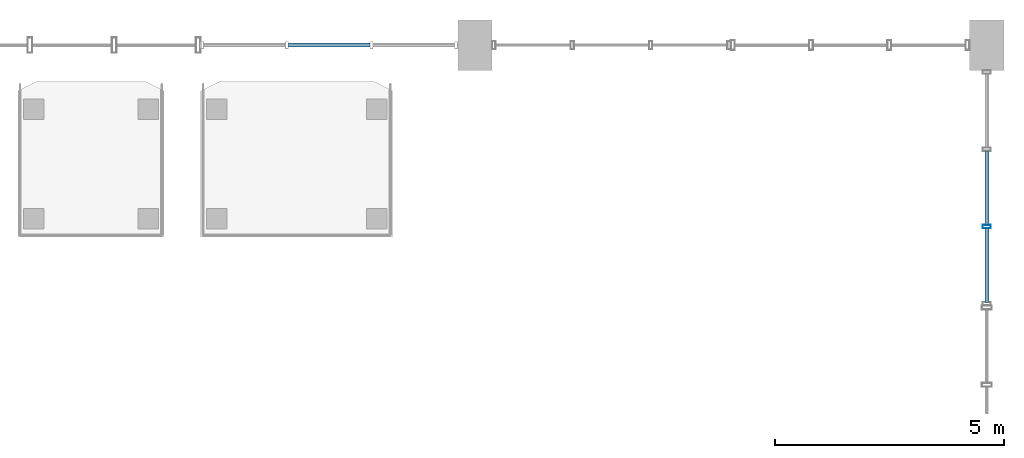
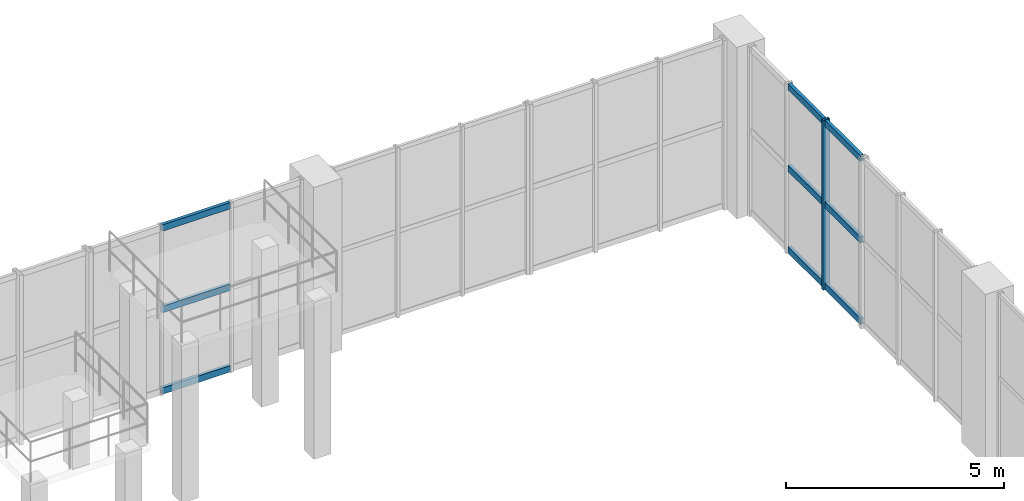
# One storey, part 66 of 106: 10 members, 2 elements without a shape of their own.
"""IFC4 building model written with IfcOpenShell, lengths in metres."""

from ifc_helpers import new_model, si_unit, direction, frame, origin, origin_2d, place, context, subcontext, project, spatial, hollow_rectangle, extrude, material, layer, layer_set, material_profile, profile_set, type_object, element, aggregate, save


model = new_model("IFC4")

# Units and contexts
model_context = context("Model", 3, precision=1e-05, world=origin(), true_north=direction((0.0, 1.0)))
body_context = subcontext(model_context, "Body", "Model", "MODEL_VIEW")
ifc_project = project(units=[si_unit("LENGTHUNIT", "METRE"), si_unit("AREAUNIT", "SQUARE_METRE"), si_unit("VOLUMEUNIT", "CUBIC_METRE"), si_unit("PLANEANGLEUNIT", "RADIAN"), si_unit("MASSUNIT", "GRAM", prefix="KILO"), si_unit("POWERUNIT", "WATT"), si_unit("THERMODYNAMICTEMPERATUREUNIT", "KELVIN")], contexts=[model_context])

# Site, building, storey
site_placement = place(None, origin())
site = spatial("IfcSite", under=ifc_project, at=site_placement, CompositionType="ELEMENT")
building_placement = place(site_placement, origin())
building = spatial("IfcBuilding", under=site, at=building_placement, Name="Kelmbourne Parkland Aquatics Centre", CompositionType="ELEMENT")
storey_placement = place(building_placement, frame((0.0, 0.0, 5.39990234375)))
storey = spatial("IfcBuildingStorey", under=building, at=storey_placement, Name="L01", CompositionType="ELEMENT", Elevation=5.39990234375)

# Curtain wall, members
ifc_material = material(Name="Thermally broken anodised aluminium framing", Category="aluminium")
ifc_layer_1 = layer(ifc_material, 0.179931640625)
ifc_layer_set_1 = layer_set([ifc_layer_1], Name="Thermally broken anodised aluminium framing")
curtain_wall_type_1 = type_object("IfcCurtainWallType", Name="CW-05", PredefinedType="NOTDEFINED", material=ifc_layer_set_1)
curtain_wall_1_placement = place(storey_placement, origin())
curtain_wall_1 = element("IfcCurtainWall", 1, at=curtain_wall_1_placement, inside=storey, type_object=curtain_wall_type_1, Name="Wave-hall clerestory curtain wall CW-L01-101", PredefinedType="NOTDEFINED")
ifc_material_profile_1 = material_profile(ifc_material, hollow_rectangle(XDim=0.074951171875, YDim=0.179931640625, WallThickness=0.00439453125, at=origin_2d()), Name="CW-M 75x180")
ifc_profile_set_1 = profile_set([ifc_material_profile_1], Name="Thermally broken anodised aluminium framing")
member_type_1 = type_object("IfcMemberType", Name="MB-MUL-2", PredefinedType="MULLION", material=ifc_profile_set_1)
member_1_placement = place(storey_placement, frame((175.199951171875, 110.82861328125, 0.0), z_axis=(0.0, 0.0, 1.0), x_axis=(0.0, 1.0, 0.0)))
member_1 = element("IfcMember", 2, at=member_1_placement, type_object=member_type_1, Name="CW-L01-101 mullion 1", PredefinedType="MULLION", context=body_context, shape_type="SweptSolid", body=[
    extrude(hollow_rectangle(XDim=0.074951171875, YDim=0.179931640625, WallThickness=0.00439453125, at=origin_2d()), origin(), (0.0, 0.0, 1.0), 4.75),
])
ifc_material_profile_2 = material_profile(ifc_material, hollow_rectangle(XDim=0.0849609375, YDim=0.179931640625, WallThickness=0.00439453125, at=origin_2d()), Name="CW-T 85x180")
ifc_profile_set_2 = profile_set([ifc_material_profile_2], Name="Thermally broken anodised aluminium framing")
member_type_2 = type_object("IfcMemberType", Name="MB-TRN-3", PredefinedType="USERDEFINED", material=ifc_profile_set_2)
member_2_placement = place(storey_placement, frame((175.199951171875, 109.1708984375, 0.093017578125), z_axis=(0.0, 1.0, 0.0), x_axis=(-1.0, 0.0, 0.0)))
member_2 = element("IfcMember", 3, at=member_2_placement, type_object=member_type_2, Name="CW-L01-101 transom 0-0", ObjectType="TRANSOM", PredefinedType="USERDEFINED", context=body_context, shape_type="SweptSolid", body=[
    extrude(hollow_rectangle(XDim=0.0849609375, YDim=0.179931640625, WallThickness=0.00439453125, at=origin_2d()), origin(), (0.0, 0.0, 1.0), 1.6240234375),
])
member_3_placement = place(storey_placement, frame((175.199951171875, 110.862060546875, 0.093017578125), z_axis=(0.0, 1.0, 0.0), x_axis=(-1.0, 0.0, 0.0)))
member_3 = element("IfcMember", 4, at=member_3_placement, type_object=member_type_2, Name="CW-L01-101 transom 0-1", ObjectType="TRANSOM", PredefinedType="USERDEFINED", context=body_context, shape_type="SweptSolid", body=[
    extrude(hollow_rectangle(XDim=0.0849609375, YDim=0.179931640625, WallThickness=0.00439453125, at=origin_2d()), origin(), (0.0, 0.0, 1.0), 1.6240234375),
])
member_4_placement = place(storey_placement, frame((175.199951171875, 109.1708984375, 2.375), z_axis=(0.0, 1.0, 0.0), x_axis=(-1.0, 0.0, 0.0)))
member_4 = element("IfcMember", 5, at=member_4_placement, type_object=member_type_2, Name="CW-L01-101 transom 1-0", ObjectType="TRANSOM", PredefinedType="USERDEFINED", context=body_context, shape_type="SweptSolid", body=[
    extrude(hollow_rectangle(XDim=0.0849609375, YDim=0.179931640625, WallThickness=0.00439453125, at=origin_2d()), origin(), (0.0, 0.0, 1.0), 1.6240234375),
])
member_5_placement = place(storey_placement, frame((175.199951171875, 110.862060546875, 2.375), z_axis=(0.0, 1.0, 0.0), x_axis=(-1.0, 0.0, 0.0)))
member_5 = element("IfcMember", 6, at=member_5_placement, type_object=member_type_2, Name="CW-L01-101 transom 1-1", ObjectType="TRANSOM", PredefinedType="USERDEFINED", context=body_context, shape_type="SweptSolid", body=[
    extrude(hollow_rectangle(XDim=0.0849609375, YDim=0.179931640625, WallThickness=0.00439453125, at=origin_2d()), origin(), (0.0, 0.0, 1.0), 1.6240234375),
])
member_6_placement = place(storey_placement, frame((175.199951171875, 109.1708984375, 4.656982421875), z_axis=(0.0, 1.0, 0.0), x_axis=(-1.0, 0.0, 0.0)))
member_6 = element("IfcMember", 7, at=member_6_placement, type_object=member_type_2, Name="CW-L01-101 transom 2-0", ObjectType="TRANSOM", PredefinedType="USERDEFINED", context=body_context, shape_type="SweptSolid", body=[
    extrude(hollow_rectangle(XDim=0.0849609375, YDim=0.179931640625, WallThickness=0.00439453125, at=origin_2d()), origin(), (0.0, 0.0, 1.0), 1.6240234375),
])
member_7_placement = place(storey_placement, frame((175.199951171875, 110.862060546875, 4.656982421875), z_axis=(0.0, 1.0, 0.0), x_axis=(-1.0, 0.0, 0.0)))
member_7 = element("IfcMember", 8, at=member_7_placement, type_object=member_type_2, Name="CW-L01-101 transom 2-1", ObjectType="TRANSOM", PredefinedType="USERDEFINED", context=body_context, shape_type="SweptSolid", body=[
    extrude(hollow_rectangle(XDim=0.0849609375, YDim=0.179931640625, WallThickness=0.00439453125, at=origin_2d()), origin(), (0.0, 0.0, 1.0), 1.6240234375),
])
aggregate(curtain_wall_1, [member_1, member_2, member_3, member_4, member_5, member_6, member_7])

ifc_layer_2 = layer(ifc_material, 0.179931640625)
ifc_layer_set_2 = layer_set([ifc_layer_2], Name="Thermally broken anodised aluminium framing")
curtain_wall_type_2 = type_object("IfcCurtainWallType", Name="CW-20", PredefinedType="NOTDEFINED", material=ifc_layer_set_2)
curtain_wall_2_placement = place(storey_placement, origin())
curtain_wall_2 = element("IfcCurtainWall", 9, at=curtain_wall_2_placement, inside=storey, type_object=curtain_wall_type_2, Name="Wave-hall clerestory curtain wall CW-L01-140", PredefinedType="NOTDEFINED")
member_8_placement = place(storey_placement, frame((159.913818359375, 114.800048828125, 0.093017578125), z_axis=(1.0, 0.0, 0.0), x_axis=(0.0, 1.0, 0.0)))
member_8 = element("IfcMember", 10, at=member_8_placement, type_object=member_type_2, Name="CW-L01-140 transom 0-1", ObjectType="TRANSOM", PredefinedType="USERDEFINED", context=body_context, shape_type="SweptSolid", body=[
    extrude(hollow_rectangle(XDim=0.0849609375, YDim=0.179931640625, WallThickness=0.00439453125, at=origin_2d()), origin(), (0.0, 0.0, 1.0), 1.79541015625),
])
member_9_placement = place(storey_placement, frame((159.913818359375, 114.800048828125, 2.375), z_axis=(1.0, 0.0, 0.0), x_axis=(0.0, 1.0, 0.0)))
member_9 = element("IfcMember", 11, at=member_9_placement, type_object=member_type_2, Name="CW-L01-140 transom 1-1", ObjectType="TRANSOM", PredefinedType="USERDEFINED", context=body_context, shape_type="SweptSolid", body=[
    extrude(hollow_rectangle(XDim=0.0849609375, YDim=0.179931640625, WallThickness=0.00439453125, at=origin_2d()), origin(), (0.0, 0.0, 1.0), 1.79541015625),
])
member_10_placement = place(storey_placement, frame((159.913818359375, 114.800048828125, 4.656982421875), z_axis=(1.0, 0.0, 0.0), x_axis=(0.0, 1.0, 0.0)))
member_10 = element("IfcMember", 12, at=member_10_placement, type_object=member_type_2, Name="CW-L01-140 transom 2-1", ObjectType="TRANSOM", PredefinedType="USERDEFINED", context=body_context, shape_type="SweptSolid", body=[
    extrude(hollow_rectangle(XDim=0.0849609375, YDim=0.179931640625, WallThickness=0.00439453125, at=origin_2d()), origin(), (0.0, 0.0, 1.0), 1.79541015625),
])
aggregate(curtain_wall_2, [member_8, member_9, member_10])

save(model, "model.ifc")
